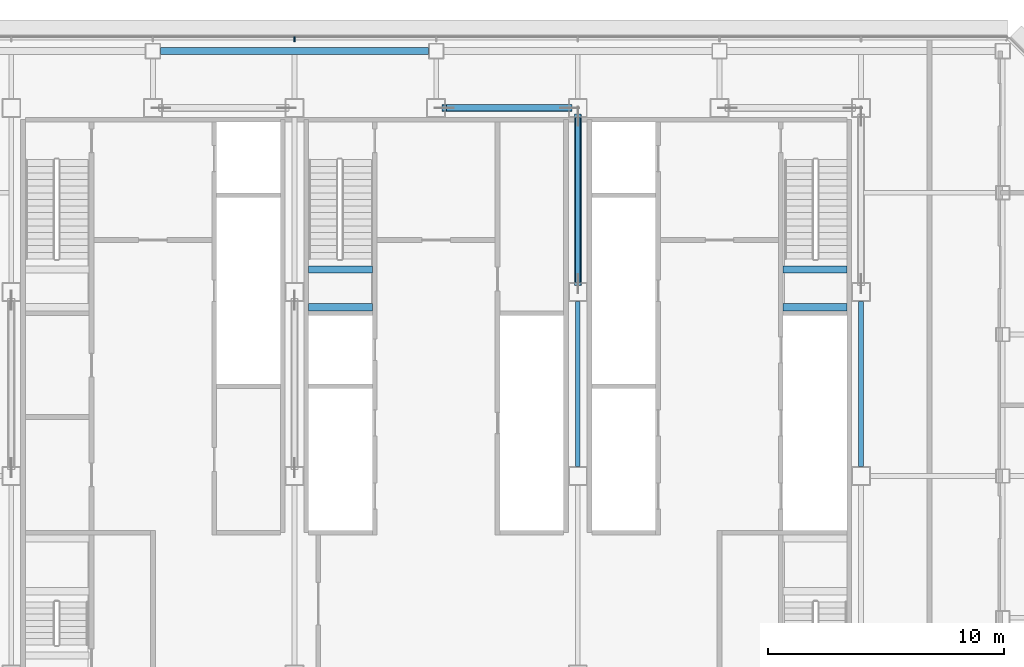
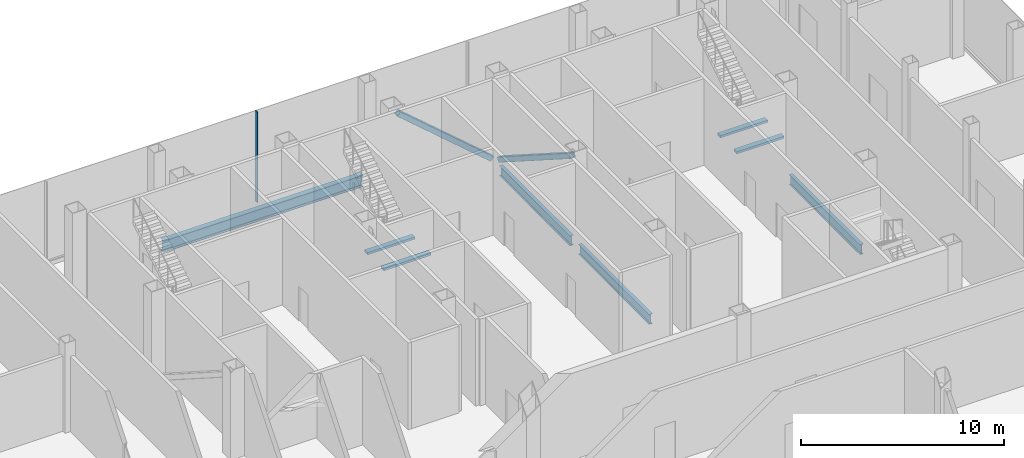
# One storey, part 11 of 25: 8 beams, 3 members, 1 element without a shape of its own.
"""IFC4 building model written with IfcOpenShell, lengths in metres."""

from ifc_helpers import new_model, si_unit, direction, frame, origin, origin_2d, place, context, subcontext, project, spatial, rectangle, hollow_rectangle, i_section, extrude, material, material_profile, profile_set, type_object, element, aggregate, save


model = new_model("IFC4")

# Units and contexts
model_context = context("Model", 3, precision=1e-05, world=origin(), true_north=direction((0.0, 1.0)))
body_context = subcontext(model_context, "Body", "Model", "MODEL_VIEW")
ifc_project = project(units=[si_unit("LENGTHUNIT", "METRE"), si_unit("AREAUNIT", "SQUARE_METRE"), si_unit("VOLUMEUNIT", "CUBIC_METRE"), si_unit("PLANEANGLEUNIT", "RADIAN"), si_unit("MASSUNIT", "GRAM", prefix="KILO")], contexts=[model_context])

# Site, building, storey
site_placement = place(None, origin())
site = spatial("IfcSite", under=ifc_project, at=site_placement, CompositionType="ELEMENT")
building_placement = place(site_placement, origin())
building = spatial("IfcBuilding", under=site, at=building_placement, Name="Sorahane Residences", CompositionType="ELEMENT")
storey_placement = place(building_placement, frame((0.0, 0.0, 210.0)))
storey = spatial("IfcBuildingStorey", under=building, at=storey_placement, Name="L49", CompositionType="ELEMENT", Elevation=210.0)

# Members
ifc_material_1 = material(Name="Steel Q355B", Category="steel")
ifc_material_profile_1 = material_profile(ifc_material_1, hollow_rectangle(XDim=0.300048828125, YDim=0.300048828125, WallThickness=0.01611328125, InnerFilletRadius=0.008056640625, OuterFilletRadius=0.02392578125, at=origin_2d()), Name="RHS 300x300x16")
ifc_profile_set_1 = profile_set([ifc_material_profile_1], Name="Steel Q355B")
member_type_1 = type_object("IfcMemberType", Name="Core brace RHS 300x300x16 Q355B", PredefinedType="BRACE", material=ifc_profile_set_1)
member_1_placement = place(storey_placement, frame((29.65869140625, 45.60009765625, 0.099609375), z_axis=(-0.758336649086, 0.0, 0.651863119568), x_axis=(0.0, -1.0, 0.0)))
element("IfcMember", 1, at=member_1_placement, inside=storey, type_object=member_type_1, Name="Core brace L49 y45.6-4", PredefinedType="BRACE", context=body_context, shape_type="SweptSolid", body=[
    extrude(hollow_rectangle(XDim=0.300048828125, YDim=0.300048828125, WallThickness=0.01611328125, InnerFilletRadius=0.008056640625, OuterFilletRadius=0.02392578125, at=origin_2d()), origin(), (0.0, 0.0, 1.0), 7.011962890625),
])
member_2_placement = place(storey_placement, frame((30.0, 45.24853515625, 0.119140625), z_axis=(0.0, -0.842825953617, 0.538186224192), x_axis=(1.0, 0.0, 0.0)))
element("IfcMember", 2, at=member_2_placement, inside=storey, type_object=member_type_1, Name="Core brace L49 x30-2", PredefinedType="BRACE", context=body_context, shape_type="SweptSolid", body=[
    extrude(hollow_rectangle(XDim=0.300048828125, YDim=0.300048828125, WallThickness=0.01611328125, InnerFilletRadius=0.008056640625, OuterFilletRadius=0.02392578125, at=origin_2d()), origin(), (0.0, 0.0, 1.0), 8.42041015625),
])

# Curtain wall, member
ifc_material_2 = material(Name="Dark low-e glass and black anodised aluminium", Category="aluminium")
curtain_wall_type = type_object("IfcCurtainWallType", Name="Curtain wall CW-4 Sky floor frameless wall", PredefinedType="NOTDEFINED", material=ifc_material_2)
curtain_wall_placement = place(storey_placement, origin())
curtain_wall = element("IfcCurtainWall", 3, at=curtain_wall_placement, inside=storey, type_object=curtain_wall_type, Name="CW-4 curtain wall L49 N1", PredefinedType="NOTDEFINED")
ifc_material_3 = material(Name="Black anodised aluminium", Category="aluminium")
ifc_material_profile_2 = material_profile(ifc_material_3, rectangle(XDim=0.219970703125, YDim=0.050048828125, at=origin_2d()), Name="Curtain wall mullion CW-4 black anodised aluminium 50x220")
ifc_profile_set_2 = profile_set([ifc_material_profile_2], Name="Black anodised aluminium")
member_type_2 = type_object("IfcMemberType", Name="Curtain wall mullion CW-4 black anodised aluminium 50x220", PredefinedType="MULLION", material=ifc_profile_set_2)
member_3_placement = place(storey_placement, frame((18.0, 48.510009765625, -0.219970703125), z_axis=(0.0, 0.0, 1.0), x_axis=(0.0, 1.0, 0.0)))
member_3 = element("IfcMember", 4, at=member_3_placement, type_object=member_type_2, Name="CW-4 mullion L49 N1.6", PredefinedType="MULLION", context=body_context, shape_type="SweptSolid", body=[
    extrude(rectangle(XDim=0.219970703125, YDim=0.050048828125, at=origin_2d()), origin(), (0.0, 0.0, 1.0), 5.43994140625),
])
aggregate(curtain_wall, [member_3])

# Beams
ifc_material_4 = material(Name="Concrete C40", Category="concrete")
ifc_material_profile_3 = material_profile(ifc_material_4, rectangle(XDim=0.300048828125, YDim=0.139892578125, at=origin_2d()), Name="300x140")
ifc_profile_set_3 = profile_set([ifc_material_profile_3], Name="Concrete C40")
beam_type_1 = type_object("IfcBeamType", Name="RC landing beam 300 x 140 Concrete C40", PredefinedType="BEAM", material=ifc_profile_set_3)
for number, where, z_axis, x_axis, name in (
    (5, (38.699951171875, 37.14990234375, 2.429931640625), (1.0, 0.0, 0.0), (0.0, 1.0, 0.0), "Landing beam"),
    (6, (38.699951171875, 38.75, 2.429931640625), (1.0, 0.0, 0.0), (0.0, 1.0, 0.0), "Landing beam"),
    (7, (18.60009765625, 37.14990234375, 2.429931640625), (1.0, 0.0, 0.0), (0.0, 1.0, 0.0), "Landing beam"),
    (8, (18.60009765625, 38.75, 2.429931640625), (1.0, 0.0, 0.0), (0.0, 1.0, 0.0), "Landing beam"),
):
    element("IfcBeam", number, at=place(storey_placement, frame(where, z_axis=z_axis, x_axis=x_axis)), inside=storey, type_object=beam_type_1, Name=name, PredefinedType="BEAM", context=body_context, shape_type="SweptSolid", body=[
        extrude(rectangle(XDim=0.300048828125, YDim=0.139892578125, at=origin_2d()), origin(), (0.0, 0.0, 1.0), 2.699951171875),
    ])
ifc_material_5 = material(Name="Steel Q355B", Category="steel")
ifc_material_profile_4 = material_profile(ifc_material_5, i_section(OverallWidth=0.199951171875, OverallDepth=0.60009765625, WebThickness=0.010986328125, FlangeThickness=0.01708984375, FilletRadius=0.02392578125, at=origin_2d()), Name="HN 600x200x11x17")
ifc_profile_set_4 = profile_set([ifc_material_profile_4], Name="Steel Q355B")
beam_type_2 = type_object("IfcBeamType", Name="Steel floor beam HN 600x200x11x17 Q355B", PredefinedType="BEAM", material=ifc_profile_set_4)
for number, where, z_axis, x_axis, name in (
    (9, (30.0, 30.39990234375, -0.52001953125), (0.0, 1.0, 0.0), (-1.0, 0.0, 0.0), "Beam L49 047"),
    (10, (30.0, 38.199951171875, -0.52001953125), (0.0, 1.0, 0.0), (-1.0, 0.0, 0.0), "Beam L49 048"),
    (11, (42.0, 30.39990234375, -0.52001953125), (0.0, 1.0, 0.0), (-1.0, 0.0, 0.0), "Beam L49 055"),
):
    element("IfcBeam", number, at=place(storey_placement, frame(where, z_axis=z_axis, x_axis=x_axis)), inside=storey, type_object=beam_type_2, Name=name, PredefinedType="BEAM", context=body_context, shape_type="SweptSolid", body=[
        extrude(i_section(OverallWidth=0.199951171875, OverallDepth=0.60009765625, WebThickness=0.010986328125, FlangeThickness=0.01708984375, FilletRadius=0.02392578125, at=origin_2d()), origin(), (0.0, 0.0, 1.0), 7.0),
    ])
ifc_material_6 = material(Name="Steel Q355B", Category="steel")
ifc_material_profile_5 = material_profile(ifc_material_6, i_section(OverallWidth=0.300048828125, OverallDepth=0.699951171875, WebThickness=0.012939453125, FlangeThickness=0.02392578125, FilletRadius=0.028076171875, at=origin_2d()), Name="HN 700x300x13x24")
ifc_profile_set_5 = profile_set([ifc_material_profile_5], Name="Steel Q355B")
beam_type_3 = type_object("IfcBeamType", Name="Steel floor beam HN 700x300x13x24 Q355B", PredefinedType="BEAM", material=ifc_profile_set_5)
beam_placement = place(storey_placement, frame((12.324951171875, 48.0, -0.570068359375), z_axis=(1.0, 0.0, 0.0), x_axis=(0.0, 1.0, 0.0)))
element("IfcBeam", 12, at=beam_placement, inside=storey, type_object=beam_type_3, Name="Beam L49 017", PredefinedType="BEAM", context=body_context, shape_type="SweptSolid", body=[
    extrude(i_section(OverallWidth=0.300048828125, OverallDepth=0.699951171875, WebThickness=0.012939453125, FlangeThickness=0.02392578125, FilletRadius=0.028076171875, at=origin_2d()), origin(), (0.0, 0.0, 1.0), 11.35009765625),
])

save(model, "model.ifc")
